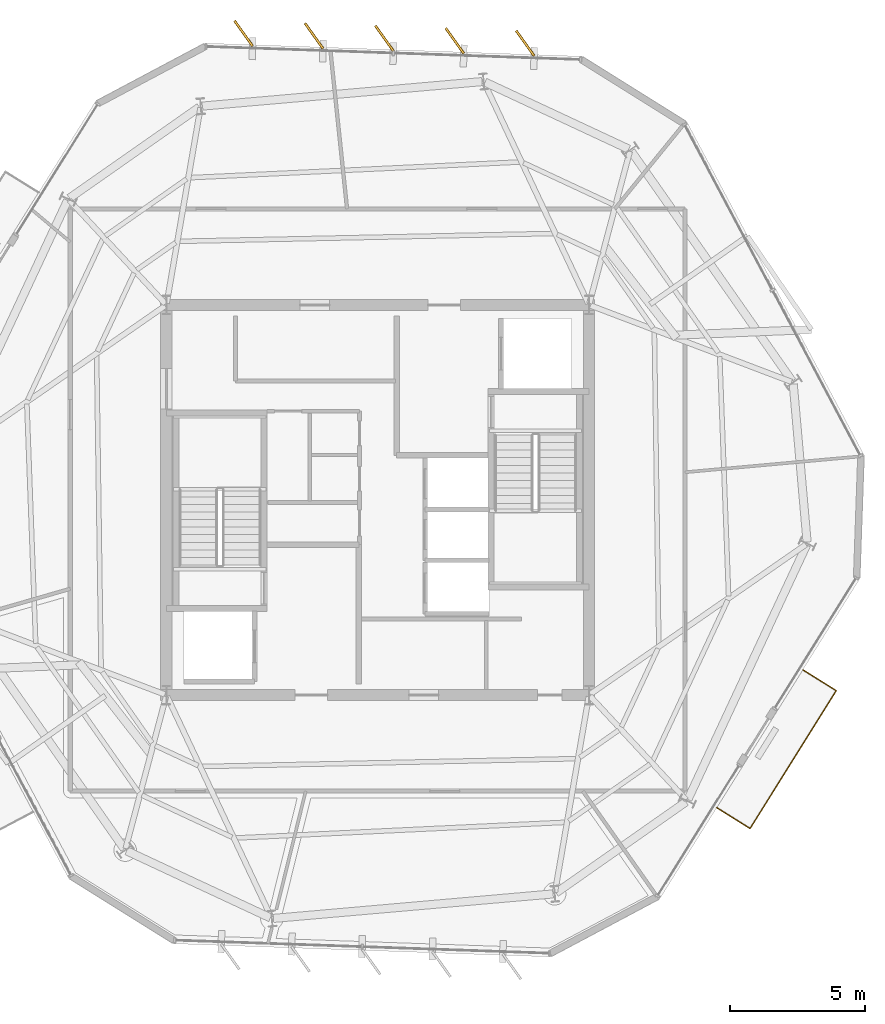
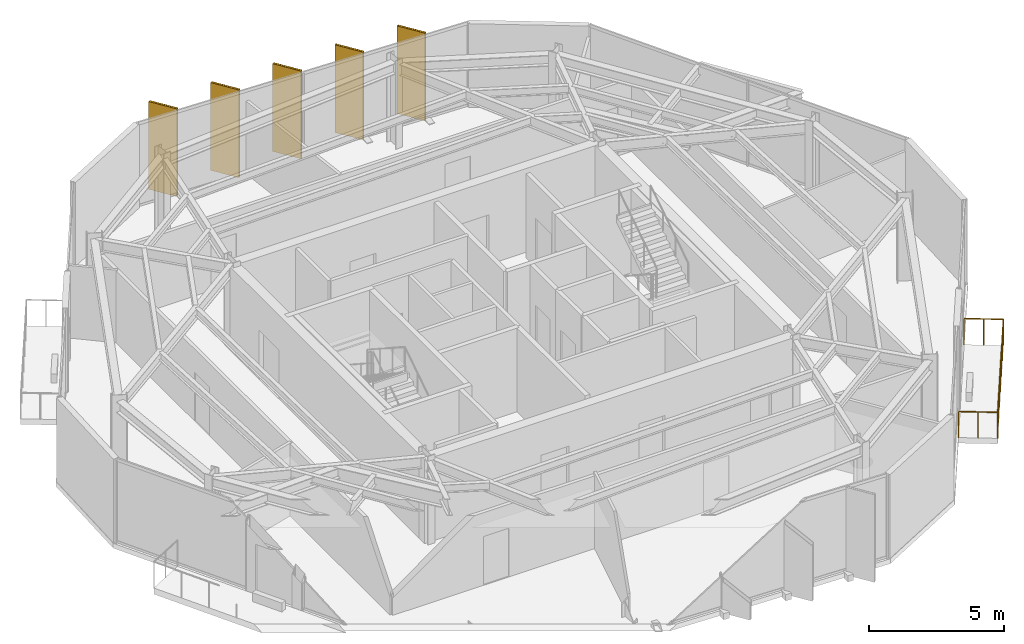
# One storey, part 12 of 12: 5 coverings, 5 shading devices, 1 railing.
"""IFC4 building model written with IfcOpenShell, lengths in metres."""

from ifc_helpers import new_model, si_unit, direction, frame, origin, origin_2d, place, context, subcontext, project, spatial, rectangle, circle, extrude, material, layer, layer_set, type_object, element, save


model = new_model("IFC4")

# Units and contexts
model_context = context("Model", 3, precision=1e-05, world=origin(), true_north=direction((0.0, 1.0)))
body_context = subcontext(model_context, "Body", "Model", "MODEL_VIEW")
ifc_project = project(units=[si_unit("LENGTHUNIT", "METRE"), si_unit("AREAUNIT", "SQUARE_METRE"), si_unit("VOLUMEUNIT", "CUBIC_METRE"), si_unit("PLANEANGLEUNIT", "RADIAN"), si_unit("MASSUNIT", "GRAM", prefix="KILO")], contexts=[model_context])

# Site, building, storey
site_placement = place(None, origin())
site = spatial("IfcSite", under=ifc_project, at=site_placement, CompositionType="ELEMENT")
building_placement = place(site_placement, origin())
building = spatial("IfcBuilding", under=site, at=building_placement, Name="Kranzbogen Civic Tower", CompositionType="ELEMENT")
storey_placement = place(building_placement, frame((0.0, 0.0, 258.199951171875)))
storey = spatial("IfcBuildingStorey", under=building, at=storey_placement, Name="L62", CompositionType="ELEMENT", Elevation=258.199951171875)

# Coverings
ifc_material_1 = material(Name="Pale Anodised Aluminium", Category="aluminium")
ifc_layer = layer(ifc_material_1, 0.02490234375, Name="Pale Anodised Aluminium")
ifc_layer_set = layer_set([ifc_layer], Name="Pale Anodised Aluminium")
covering_type = type_object("IfcCoveringType", Name="Anodised Aluminium Vertical Fin Cladding 25 mm", PredefinedType="CLADDING", material=ifc_layer_set)
for number, where, z_axis, x_axis, name in (
    (1, (30.44189453125, 41.860107421875, -0.139892578125), (0.0, 0.0, 1.0), (-0.580404527791, 0.814328302419, 0.0), "L62 vertical fin pale-metal cladding F1-1"),
    (2, (27.843017578125, 41.950927734375, -0.139892578125), (0.0, 0.0, 1.0), (-0.580404527791, 0.814328302419, 0.0), "L62 vertical fin pale-metal cladding F1-2"),
    (3, (25.2451171875, 42.0419921875, -0.139892578125), (0.0, 0.0, 1.0), (-0.580404527791, 0.814328302419, 0.0), "L62 vertical fin pale-metal cladding F1-3"),
    (4, (22.64697265625, 42.133056640625, -0.139892578125), (0.0, 0.0, 1.0), (-0.580404527791, 0.814328302419, 0.0), "L62 vertical fin pale-metal cladding F1-4"),
    (5, (20.048095703125, 42.222900390625, -0.139892578125), (0.0, 0.0, 1.0), (-0.580404527791, 0.814328302419, 0.0), "L62 vertical fin pale-metal cladding F1-5"),
):
    element("IfcCovering", number, at=place(storey_placement, frame(where, z_axis=z_axis, x_axis=x_axis)), inside=storey, type_object=covering_type, Name=name, PredefinedType="CLADDING", context=body_context, shape_type="SweptSolid", body=[
        extrude(rectangle(XDim=1.14990234375, YDim=0.094970703125, at=origin_2d()), origin(), (0.0, 0.0, 1.0), 3.9599609375),
    ])

# Railing
ifc_material_2 = material(Name="Anodised Bronze Aluminium", Category="aluminium")
railing_type = type_object("IfcRailingType", Name="Cantilevered Balcony Glass and Bronze Balustrade 1200", PredefinedType="BALUSTRADE", material=ifc_material_2)
railing_placement = place(storey_placement, frame((37.51611328125, 13.64111328125, 0.0)))
element("IfcRailing", 6, at=railing_placement, inside=storey, type_object=railing_type, Name="L62 exterior terrace balustrade L62-TB1", PredefinedType="BALUSTRADE", context=body_context, shape_type="SweptSolid", body=[
    extrude(circle(Radius=0.02392578125, at=origin_2d()), frame((0.0, 0.0, 1.17578125), z_axis=(0.84820632616, -0.529665959131, 0.0), x_axis=(0.529665959131, 0.84820632616, 0.0)), (0.0, 0.0, 1.0), 1.4501953125),
    extrude(circle(Radius=0.02392578125, at=origin_2d()), frame((1.22998046875, -0.76806640625, 1.17578125), z_axis=(0.529925795952, 0.848044014651, 0.0), x_axis=(-0.848044014651, 0.529925795952, 0.0)), (0.0, 0.0, 1.0), 6.000732421875),
    extrude(circle(Radius=0.02392578125, at=origin_2d()), frame((4.409912109375, 4.32080078125, 1.17578125), z_axis=(-0.84820632616, 0.529665959131, 0.0), x_axis=(-0.529665959131, -0.84820632616, 0.0)), (0.0, 0.0, 1.0), 1.4501953125),
    extrude(circle(Radius=0.02099609375, at=origin_2d()), origin(), (0.0, 0.0, 1.0), 1.15185546875),
    extrude(circle(Radius=0.02099609375, at=origin_2d()), frame((0.614990234375, -0.384033203125, 0.0)), (0.0, 0.0, 1.0), 1.15185546875),
    extrude(circle(Radius=0.02099609375, at=origin_2d()), frame((1.22998046875, -0.76806640625, 0.0)), (0.0, 0.0, 1.0), 1.15185546875),
    extrude(circle(Radius=0.02099609375, at=origin_2d()), frame((1.760009765625, 0.080078125, 0.0)), (0.0, 0.0, 1.0), 1.15185546875),
    extrude(circle(Radius=0.02099609375, at=origin_2d()), frame((2.2900390625, 0.92822265625, 0.0)), (0.0, 0.0, 1.0), 1.15185546875),
    extrude(circle(Radius=0.02099609375, at=origin_2d()), frame((2.81982421875, 1.7763671875, 0.0)), (0.0, 0.0, 1.0), 1.15185546875),
    extrude(circle(Radius=0.02099609375, at=origin_2d()), frame((3.349853515625, 2.62451171875, 0.0)), (0.0, 0.0, 1.0), 1.15185546875),
    extrude(circle(Radius=0.02099609375, at=origin_2d()), frame((3.8798828125, 3.47265625, 0.0)), (0.0, 0.0, 1.0), 1.15185546875),
    extrude(circle(Radius=0.02099609375, at=origin_2d()), frame((4.409912109375, 4.32080078125, 0.0)), (0.0, 0.0, 1.0), 1.15185546875),
    extrude(circle(Radius=0.02099609375, at=origin_2d()), frame((3.794921875, 4.704833984375, 0.0)), (0.0, 0.0, 1.0), 1.15185546875),
    extrude(circle(Radius=0.02099609375, at=origin_2d()), frame((3.179931640625, 5.0888671875, 0.0)), (0.0, 0.0, 1.0), 1.15185546875),
])

# Shading devices
shading_device_type = type_object("IfcShadingDeviceType", Name="Pale Anodised Aluminium Crown Fin 1150x75", PredefinedType="USERDEFINED", material=ifc_material_1)
for number, where, z_axis, x_axis, name in (
    (7, (30.44189453125, 41.860107421875, -0.139892578125), (0.0, 0.0, 1.0), (-0.580404527791, 0.814328302419, 0.0), "L62 vertical exterior shading fin F1-1"),
    (8, (27.843017578125, 41.950927734375, -0.139892578125), (0.0, 0.0, 1.0), (-0.580404527791, 0.814328302419, 0.0), "L62 vertical exterior shading fin F1-2"),
    (9, (25.2451171875, 42.0419921875, -0.139892578125), (0.0, 0.0, 1.0), (-0.580404527791, 0.814328302419, 0.0), "L62 vertical exterior shading fin F1-3"),
    (10, (22.64697265625, 42.133056640625, -0.139892578125), (0.0, 0.0, 1.0), (-0.580404527791, 0.814328302419, 0.0), "L62 vertical exterior shading fin F1-4"),
    (11, (20.048095703125, 42.222900390625, -0.139892578125), (0.0, 0.0, 1.0), (-0.580404527791, 0.814328302419, 0.0), "L62 vertical exterior shading fin F1-5"),
):
    element("IfcShadingDevice", number, at=place(storey_placement, frame(where, z_axis=z_axis, x_axis=x_axis)), inside=storey, type_object=shading_device_type, Name=name, ObjectType="FIN", PredefinedType="USERDEFINED", context=body_context, shape_type="SweptSolid", body=[
        extrude(rectangle(XDim=1.14990234375, YDim=0.074951171875, at=origin_2d()), origin(), (0.0, 0.0, 1.0), 3.9599609375),
    ])

save(model, "model.ifc")
